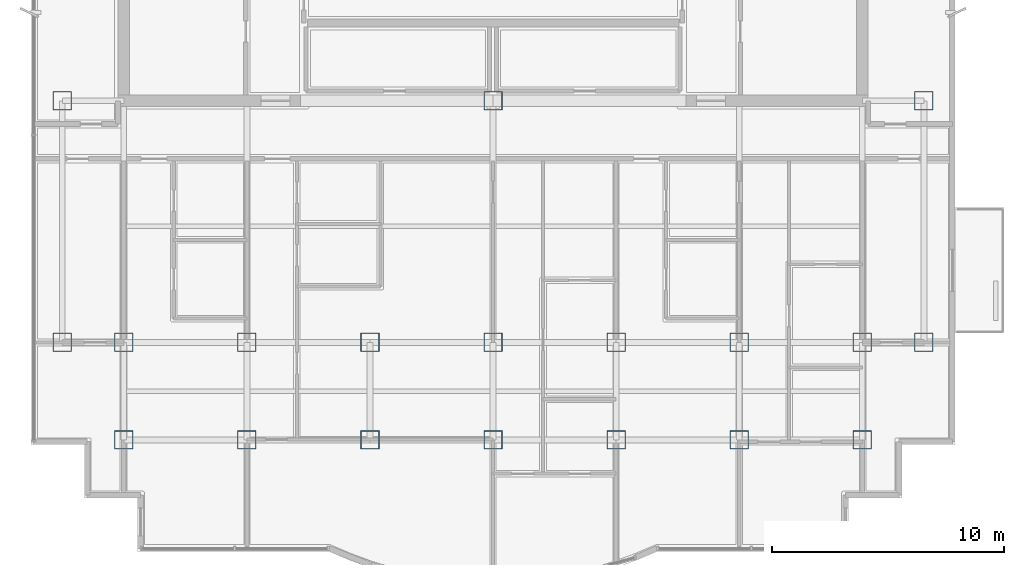
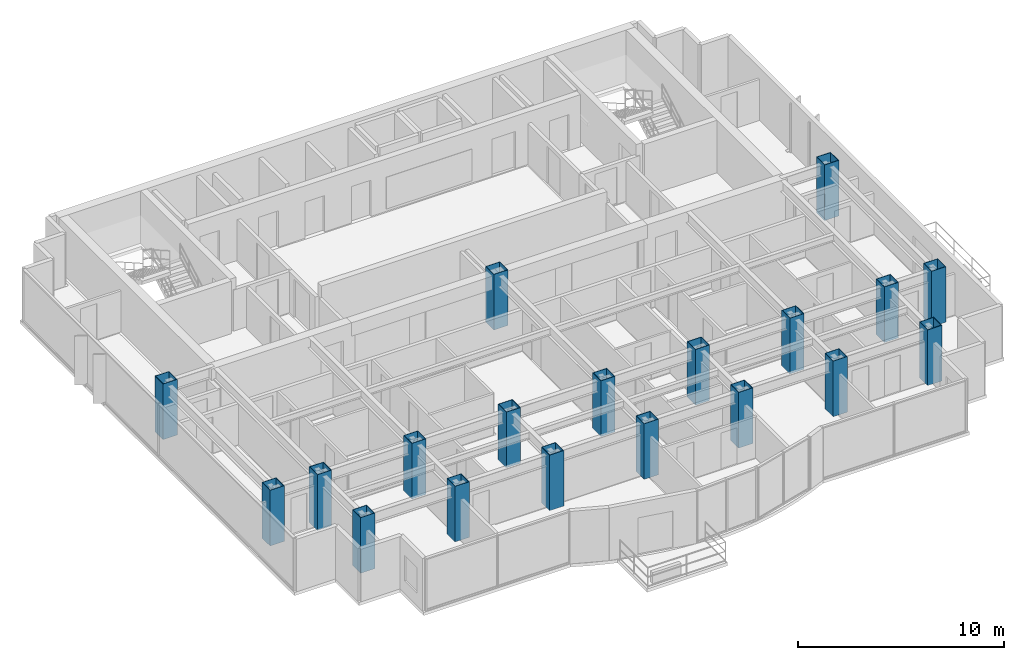
# One storey, part 1 of 11: 19 columns.
"""IFC4 building model written with IfcOpenShell, lengths in metres."""

from ifc_helpers import new_model, si_unit, direction, frame, origin, origin_2d, place, context, subcontext, project, spatial, hollow_rectangle, extrude, material, material_profile, profile_set, type_object, element, save


model = new_model("IFC4")

# Units and contexts
model_context = context("Model", 3, precision=1e-05, world=origin(), true_north=direction((0.0, 1.0)))
body_context = subcontext(model_context, "Body", "Model", "MODEL_VIEW")
ifc_project = project(units=[si_unit("LENGTHUNIT", "METRE"), si_unit("AREAUNIT", "SQUARE_METRE"), si_unit("VOLUMEUNIT", "CUBIC_METRE"), si_unit("PLANEANGLEUNIT", "RADIAN"), si_unit("MASSUNIT", "GRAM", prefix="KILO")], contexts=[model_context])

# Site, building, storey
site_placement = place(None, origin())
site = spatial("IfcSite", under=ifc_project, at=site_placement, CompositionType="ELEMENT")
building_placement = place(site_placement, origin())
building = spatial("IfcBuilding", under=site, at=building_placement, Name="Qianlan Lanfeng Residences", CompositionType="ELEMENT")
storey_placement = place(building_placement, frame((0.0, 0.0, 203.300048828125)))
storey = spatial("IfcBuildingStorey", under=building, at=storey_placement, Name="L55", CompositionType="ELEMENT", Elevation=203.300048828125)

# Columns
ifc_material = material(Name="Steel SN490B", Category="steel")
ifc_material_profile_1 = material_profile(ifc_material, hollow_rectangle(XDim=0.800048828125, YDim=0.800048828125, WallThickness=0.028076171875, at=origin_2d()), Name="BOX 800x800x28")
ifc_profile_set_1 = profile_set([ifc_material_profile_1], Name="Steel SN490B")
column_type_1 = type_object("IfcColumnType", Name="C-B850", PredefinedType="COLUMN", material=ifc_profile_set_1)
for number, where, z_axis, x_axis, name in (
    (1, (26.5, 25.199951171875, 0.0), (0.0, 0.0, 1.0), (1.0, 0.0, 0.0), "L55 Structural Column CP_26.5_25.2"),
    (2, (10.60009765625, 14.800048828125, 0.0), (0.0, 0.0, 1.0), (1.0, 0.0, 0.0), "L55 Structural Column M_10.60_14.80"),
    (3, (15.89990234375, 14.800048828125, 0.0), (0.0, 0.0, 1.0), (1.0, 0.0, 0.0), "L55 Structural Column M_15.90_14.80"),
    (4, (15.89990234375, 10.60009765625, 0.0), (0.0, 0.0, 1.0), (1.0, 0.0, 0.0), "L55 Structural Column G_15.90_10.60"),
    (5, (21.199951171875, 14.800048828125, 0.0), (0.0, 0.0, 1.0), (1.0, 0.0, 0.0), "L55 Structural Column M_21.20_14.80"),
    (6, (21.199951171875, 10.60009765625, 0.0), (0.0, 0.0, 1.0), (1.0, 0.0, 0.0), "L55 Structural Column G_21.20_10.60"),
    (7, (26.5, 14.800048828125, 0.0), (0.0, 0.0, 1.0), (1.0, 0.0, 0.0), "L55 Structural Column M_26.50_14.80"),
    (8, (26.5, 10.60009765625, 0.0), (0.0, 0.0, 1.0), (1.0, 0.0, 0.0), "L55 Structural Column G_26.50_10.60"),
    (9, (31.800048828125, 14.800048828125, 0.0), (0.0, 0.0, 1.0), (1.0, 0.0, 0.0), "L55 Structural Column M_31.80_14.80"),
    (10, (31.800048828125, 10.60009765625, 0.0), (0.0, 0.0, 1.0), (1.0, 0.0, 0.0), "L55 Structural Column G_31.80_10.60"),
    (11, (37.10009765625, 14.800048828125, 0.0), (0.0, 0.0, 1.0), (1.0, 0.0, 0.0), "L55 Structural Column M_37.10_14.80"),
    (12, (37.10009765625, 10.60009765625, 0.0), (0.0, 0.0, 1.0), (1.0, 0.0, 0.0), "L55 Structural Column G_37.10_10.60"),
    (13, (42.39990234375, 14.800048828125, 0.0), (0.0, 0.0, 1.0), (1.0, 0.0, 0.0), "L55 Structural Column M_42.40_14.80"),
):
    element("IfcColumn", number, at=place(storey_placement, frame(where, z_axis=z_axis, x_axis=x_axis)), inside=storey, type_object=column_type_1, Name=name, PredefinedType="COLUMN", context=body_context, shape_type="SweptSolid", body=[
        extrude(hollow_rectangle(XDim=0.800048828125, YDim=0.800048828125, WallThickness=0.028076171875, at=origin_2d()), origin(), (0.0, 0.0, 1.0), 3.300048828125),
    ])
ifc_material_profile_2 = material_profile(ifc_material, hollow_rectangle(XDim=0.800048828125, YDim=0.800048828125, WallThickness=0.028076171875, at=origin_2d()), Name="BOX 800x800x28")
ifc_profile_set_2 = profile_set([ifc_material_profile_2], Name="Steel SN490B")
column_type_2 = type_object("IfcColumnType", Name="CE-B800", PredefinedType="COLUMN", material=ifc_profile_set_2)
for number, where, z_axis, x_axis, name in (
    (14, (10.60009765625, 10.60009765625, 0.0), (0.0, 0.0, 1.0), (1.0, 0.0, 0.0), "L55 Structural Column G_10.60_10.60"),
    (15, (42.39990234375, 10.60009765625, 0.0), (0.0, 0.0, 1.0), (1.0, 0.0, 0.0), "L55 Structural Column G_42.40_10.60"),
    (16, (7.949951171875, 14.800048828125, 0.0), (0.0, 0.0, 1.0), (1.0, 0.0, 0.0), "L55 Structural Column W_7.95_14.80"),
    (17, (7.949951171875, 25.199951171875, 0.0), (0.0, 0.0, 1.0), (1.0, 0.0, 0.0), "L55 Structural Column W_7.95_25.20"),
    (18, (45.050048828125, 14.800048828125, 0.0), (0.0, 0.0, 1.0), (1.0, 0.0, 0.0), "L55 Structural Column W_45.05_14.80"),
    (19, (45.050048828125, 25.199951171875, 0.0), (0.0, 0.0, 1.0), (1.0, 0.0, 0.0), "L55 Structural Column W_45.05_25.20"),
):
    element("IfcColumn", number, at=place(storey_placement, frame(where, z_axis=z_axis, x_axis=x_axis)), inside=storey, type_object=column_type_2, Name=name, PredefinedType="COLUMN", context=body_context, shape_type="SweptSolid", body=[
        extrude(hollow_rectangle(XDim=0.800048828125, YDim=0.800048828125, WallThickness=0.028076171875, at=origin_2d()), origin(), (0.0, 0.0, 1.0), 3.300048828125),
    ])

save(model, "model.ifc")
